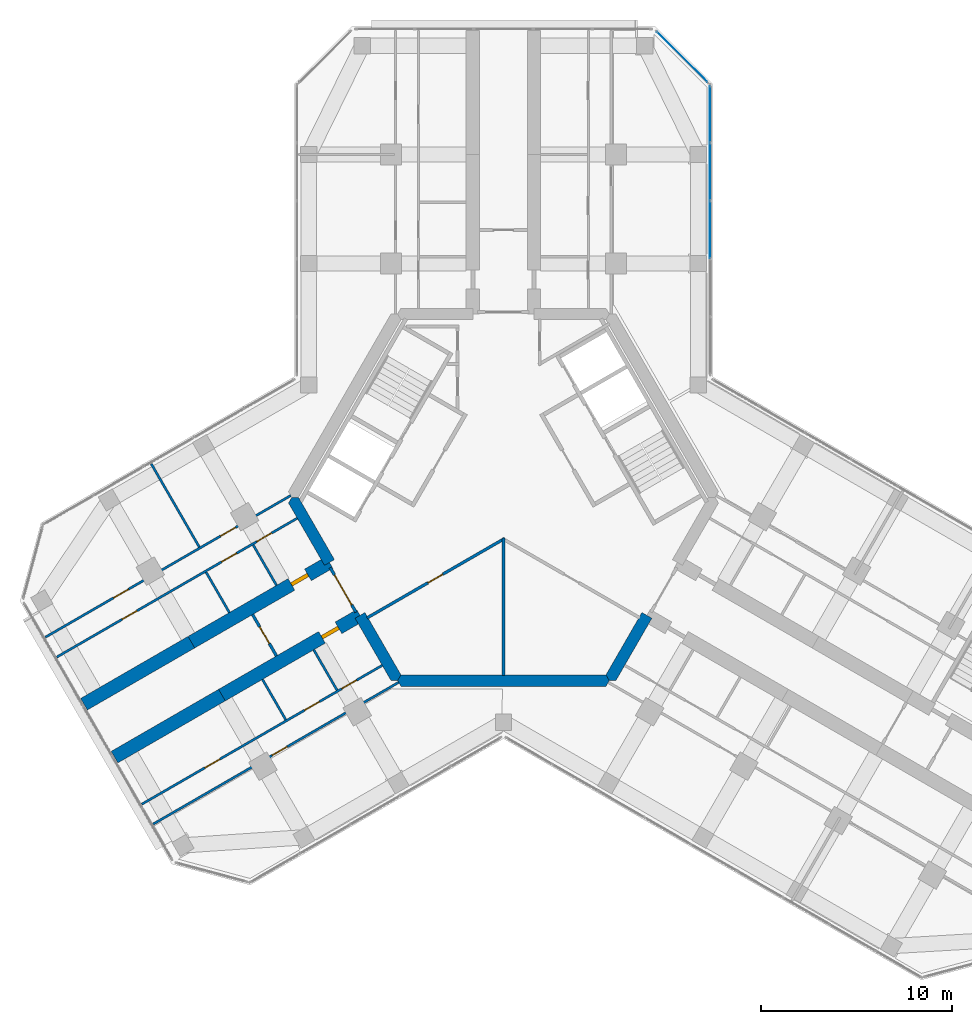
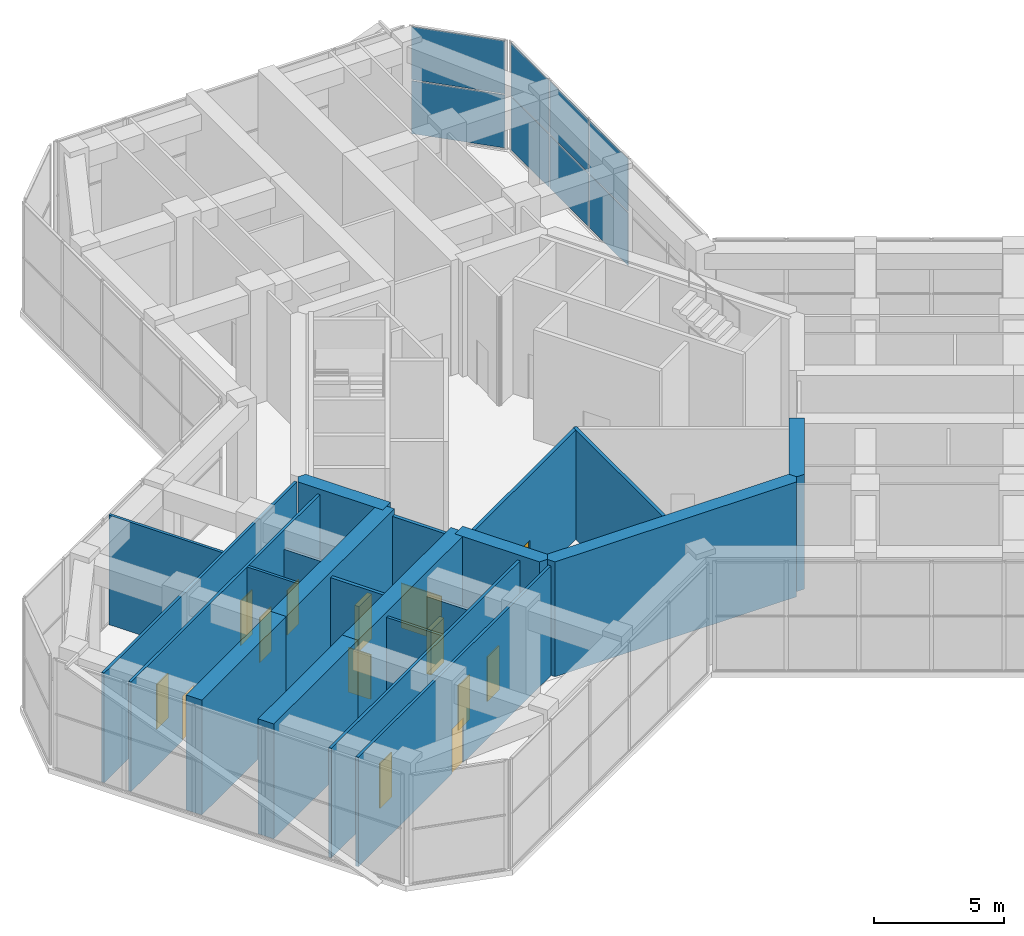
# One storey, part 11 of 16: 21 walls, 14 doors, 8 plates, 14 openings, 2 elements without a shape of their own.
"""IFC4 building model written with IfcOpenShell, lengths in metres."""

from ifc_helpers import new_model, si_unit, direction, frame, frame_2d, origin, origin_2d, place, context, subcontext, project, spatial, polyline, rectangle, outline, extrude, material, layer, layer_set, type_object, element, fill, aggregate, save


model = new_model("IFC4")

# Units and contexts
model_context = context("Model", 3, precision=1e-05, world=origin(), true_north=direction((0.0, 1.0)))
body_context = subcontext(model_context, "Body", "Model", "MODEL_VIEW")
ifc_project = project(units=[si_unit("LENGTHUNIT", "METRE"), si_unit("AREAUNIT", "SQUARE_METRE"), si_unit("VOLUMEUNIT", "CUBIC_METRE"), si_unit("PLANEANGLEUNIT", "RADIAN"), si_unit("MASSUNIT", "GRAM", prefix="KILO")], contexts=[model_context])

# Site, building, storey
site_placement = place(None, origin())
site = spatial("IfcSite", under=ifc_project, at=site_placement, CompositionType="ELEMENT")
building_placement = place(site_placement, origin())
building = spatial("IfcBuilding", under=site, at=building_placement, Name="Kosmar Iwan School Tower", CompositionType="ELEMENT")
storey_placement = place(building_placement, frame((0.0, 0.0, 226.199951171875)))
storey = spatial("IfcBuildingStorey", under=building, at=storey_placement, Name="L57", CompositionType="ELEMENT", Elevation=226.199951171875)

# Curtain wall, plates
ifc_material_1 = material(Name="Dark glass in black aluminium frame", Category="aluminium")
curtain_wall_type_1 = type_object("IfcCurtainWallType", Name="Winter garden curtain wall", PredefinedType="USERDEFINED", material=ifc_material_1)
curtain_wall_1_placement = place(storey_placement, origin())
curtain_wall_1 = element("IfcCurtainWall", 1, at=curtain_wall_1_placement, inside=storey, type_object=curtain_wall_type_1, Name="Curtain wall L57-F04", ObjectType="WINTER GARDEN CURTAIN WALL", PredefinedType="USERDEFINED")
ifc_material_2 = material(Name="Dark glass", Category="glass")
ifc_layer_1 = layer(ifc_material_2, 0.028076171875)
ifc_layer_set_1 = layer_set([ifc_layer_1], Name="Dark glass panel 28")
plate_type = type_object("IfcPlateType", Name="Dark glass panel 28", PredefinedType="CURTAIN_PANEL", material=ifc_layer_set_1)
plate_1_placement = place(storey_placement, frame((10.824951171875, 14.003662109375, 0.06005859375), z_axis=(0.0, 0.0, 1.0), x_axis=(0.0, 1.0, 0.0)))
plate_1 = element("IfcPlate", 2, at=plate_1_placement, type_object=plate_type, Name="CW7 panel 3.1", PredefinedType="CURTAIN_PANEL", context=body_context, shape_type="SweptSolid", body=[
    extrude(rectangle(XDim=2.977783203125, YDim=0.028076171875, at=origin_2d()), origin(), (0.0, 0.0, 1.0), 2.485107421875),
])
plate_2_placement = place(storey_placement, frame((10.824951171875, 14.003662109375, 2.60498046875), z_axis=(0.0, 0.0, 1.0), x_axis=(0.0, 1.0, 0.0)))
plate_2 = element("IfcPlate", 3, at=plate_2_placement, type_object=plate_type, Name="CW7 panel 3.2", PredefinedType="CURTAIN_PANEL", context=body_context, shape_type="SweptSolid", body=[
    extrude(rectangle(XDim=2.977783203125, YDim=0.028076171875, at=origin_2d()), origin(), (0.0, 0.0, 1.0), 2.485107421875),
])
plate_3_placement = place(storey_placement, frame((10.824951171875, 17.04150390625, 0.06005859375), z_axis=(0.0, 0.0, 1.0), x_axis=(0.0, 1.0, 0.0)))
plate_3 = element("IfcPlate", 4, at=plate_3_placement, type_object=plate_type, Name="CW7 panel 4.1", PredefinedType="CURTAIN_PANEL", context=body_context, shape_type="SweptSolid", body=[
    extrude(rectangle(XDim=2.977783203125, YDim=0.028076171875, at=origin_2d()), origin(), (0.0, 0.0, 1.0), 2.485107421875),
])
plate_4_placement = place(storey_placement, frame((10.824951171875, 17.04150390625, 2.60498046875), z_axis=(0.0, 0.0, 1.0), x_axis=(0.0, 1.0, 0.0)))
plate_4 = element("IfcPlate", 5, at=plate_4_placement, type_object=plate_type, Name="CW7 panel 4.2", PredefinedType="CURTAIN_PANEL", context=body_context, shape_type="SweptSolid", body=[
    extrude(rectangle(XDim=2.977783203125, YDim=0.028076171875, at=origin_2d()), origin(), (0.0, 0.0, 1.0), 2.485107421875),
])
plate_5_placement = place(storey_placement, frame((10.824951171875, 20.064208984375, 0.06005859375), z_axis=(0.0, 0.0, 1.0), x_axis=(0.0, 1.0, 0.0)))
plate_5 = element("IfcPlate", 6, at=plate_5_placement, type_object=plate_type, Name="CW7 panel 5.1", PredefinedType="CURTAIN_PANEL", context=body_context, shape_type="SweptSolid", body=[
    extrude(rectangle(XDim=2.94775390625, YDim=0.028076171875, at=origin_2d()), origin(), (0.0, 0.0, 1.0), 2.485107421875),
])
plate_6_placement = place(storey_placement, frame((10.824951171875, 20.064208984375, 2.60498046875), z_axis=(0.0, 0.0, 1.0), x_axis=(0.0, 1.0, 0.0)))
plate_6 = element("IfcPlate", 7, at=plate_6_placement, type_object=plate_type, Name="CW7 panel 5.2", PredefinedType="CURTAIN_PANEL", context=body_context, shape_type="SweptSolid", body=[
    extrude(rectangle(XDim=2.94775390625, YDim=0.028076171875, at=origin_2d()), origin(), (0.0, 0.0, 1.0), 2.485107421875),
])
aggregate(curtain_wall_1, [plate_1, plate_2, plate_3, plate_4, plate_5, plate_6])

ifc_material_3 = material(Name="Dark glass in black aluminium frame", Category="aluminium")
curtain_wall_type_2 = type_object("IfcCurtainWallType", Name="Chamfer curtain wall dark glass", PredefinedType="USERDEFINED", material=ifc_material_3)
curtain_wall_2_placement = place(storey_placement, origin())
curtain_wall_2 = element("IfcCurtainWall", 8, at=curtain_wall_2_placement, inside=storey, type_object=curtain_wall_type_2, Name="Curtain wall L57-F05", ObjectType="FACETED CURTAIN WALL", PredefinedType="USERDEFINED")
plate_7_placement = place(storey_placement, frame((9.361572265625, 23.0615234375, 0.06005859375), z_axis=(0.0, 0.0, 1.0), x_axis=(-0.707106781187, 0.707106781187, 0.0)))
plate_7 = element("IfcPlate", 9, at=plate_7_placement, type_object=plate_type, Name="CW2 panel 1.1", PredefinedType="CURTAIN_PANEL", context=body_context, shape_type="SweptSolid", body=[
    extrude(rectangle(XDim=3.718994140625, YDim=0.028076171875, at=origin_2d()), origin(), (0.0, 0.0, 1.0), 2.485107421875),
])
plate_8_placement = place(storey_placement, frame((9.361572265625, 23.0615234375, 2.60498046875), z_axis=(0.0, 0.0, 1.0), x_axis=(-0.707106781187, 0.707106781187, 0.0)))
plate_8 = element("IfcPlate", 10, at=plate_8_placement, type_object=plate_type, Name="CW2 panel 1.2", PredefinedType="CURTAIN_PANEL", context=body_context, shape_type="SweptSolid", body=[
    extrude(rectangle(XDim=3.718994140625, YDim=0.028076171875, at=origin_2d()), origin(), (0.0, 0.0, 1.0), 2.485107421875),
])
aggregate(curtain_wall_2, [plate_7, plate_8])

# Wall
ifc_material_4 = material(Name="Gypsum board on steel studs, fire-rated", Category="steel")
ifc_layer_2 = layer(ifc_material_4, 0.14990234375)
ifc_layer_set_2 = layer_set([ifc_layer_2], Name="Core room partition 150")
wall_type_1 = type_object("IfcWallType", Name="Core room partition 150", PredefinedType="PARTITIONING", material=ifc_layer_set_2)
wall_1_placement = place(storey_placement, frame((0.0, -9.344970703125, 0.0), z_axis=(0.0, 0.0, 1.0), x_axis=(0.0, 1.0, 0.0)))
element("IfcWall", 11, at=wall_1_placement, inside=storey, type_object=wall_type_1, Name="Core room partition L57-CW5", PredefinedType="PARTITIONING", context=body_context, shape_type="SweptSolid", body=[
    extrude(rectangle(XDim=7.22607421875, YDim=0.14990234375, at=frame_2d((3.613037109375, 0.0))), origin(), (0.0, 0.0, 1.0), 5.150146484375),
])

# Wall, opening, door
wall_2_placement = place(storey_placement, frame((-7.14306640625, -6.31787109375, 0.0), z_axis=(0.0, 0.0, 1.0), x_axis=(0.866034159509, 0.499984834333, 0.0)))
wall_2 = element("IfcWall", 12, at=wall_2_placement, inside=storey, type_object=wall_type_1, Name="Core room partition L57-CW7", PredefinedType="PARTITIONING", context=body_context, shape_type="SweptSolid", body=[
    extrude(rectangle(XDim=8.322998046875, YDim=0.14990234375, at=frame_2d((4.16162109375, 0.0))), origin(), (0.0, 0.0, 1.0), 5.150146484375),
])
opening_1_placement = place(wall_2_placement, frame((3.677001953125, 0.0, 0.0)))
opening_1 = element("IfcOpeningElement", 13, at=opening_1_placement, cuts=wall_2, Name="Opening D14", PredefinedType="OPENING", context=body_context, shape_type="SweptSolid", body=[
    extrude(rectangle(XDim=0.89990234375, YDim=2.10009765625, at=frame_2d((0.449951171875, 1.050048828125))), frame((0.0, 0.0869140625, 0.0), z_axis=(0.0, -1.0, 0.0), x_axis=(1.0, 0.0, 0.0)), (0.0, 0.0, 1.0), 0.173828125),
])
ifc_material_5 = material(Name="Timber fire door in steel frame", Category="steel")
door_type_1 = type_object("IfcDoorType", Name="Core room door 900x2100", OperationType="SINGLE_SWING_LEFT", PredefinedType="DOOR", material=ifc_material_5)
door_1_placement = place(opening_1_placement, origin())
door_1 = element("IfcDoor", 14, at=door_1_placement, inside=storey, type_object=door_type_1, Name="Residents' laundry room door L57 4", OperationType="SINGLE_SWING_LEFT", OverallHeight=2.10009765625, OverallWidth=0.89990234375, PredefinedType="DOOR", context=body_context, shape_type="SweptSolid", body=[
    extrude(rectangle(XDim=0.89990234375, YDim=2.10009765625, at=frame_2d((0.449951171875, 1.050048828125))), frame((0.0, 0.02490234375, 0.0), z_axis=(0.0, -1.0, 0.0), x_axis=(1.0, 0.0, 0.0)), (0.0, 0.0, 1.0), 0.050048828125),
])
fill(opening_1, door_1)

# Walls
ifc_material_6 = material(Name="Concrete C50/60", Category="concrete")
ifc_layer_3 = layer(ifc_material_6, 0.60009765625)
ifc_layer_set_3 = layer_set([ifc_layer_3], Name="Core wall 600")
wall_type_2 = type_object("IfcWallType", Name="Core wall 600", PredefinedType="SHEAR", material=ifc_layer_set_3)
wall_3_placement = place(storey_placement, origin())
element("IfcWall", 15, at=wall_3_placement, inside=storey, type_object=wall_type_2, Name="Core wall F210a", PredefinedType="SHEAR", context=body_context, shape_type="SweptSolid", body=[
    extrude(outline(polyline([(-9.37353515625, -3.564453125), (-8.85400390625, -3.264404296875), (-10.73876953125, 0.0), (-11.085205078125, 0.0), (-11.25830078125, -0.300048828125), (-9.37353515625, -3.564453125)])), origin(), (0.0, 0.0, 1.0), 5.400146484375),
])
wall_4_placement = place(storey_placement, origin())
element("IfcWall", 16, at=wall_4_placement, inside=storey, type_object=wall_type_2, Name="Core wall F210b", PredefinedType="SHEAR", context=body_context, shape_type="SweptSolid", body=[
    extrude(outline(polyline([(-5.888916015625, -9.60009765625), (-5.54248046875, -9.60009765625), (-5.369384765625, -9.300048828125), (-7.254150390625, -6.03564453125), (-7.773681640625, -6.335693359375), (-5.888916015625, -9.60009765625)])), origin(), (0.0, 0.0, 1.0), 5.400146484375),
])
wall_5_placement = place(storey_placement, origin())
element("IfcWall", 17, at=wall_5_placement, inside=storey, type_object=wall_type_2, Name="Core wall F270", PredefinedType="SHEAR", context=body_context, shape_type="SweptSolid", body=[
    extrude(outline(polyline([(-5.369384765625, -9.89990234375), (5.369384765625, -9.89990234375), (5.54248046875, -9.60009765625), (5.369384765625, -9.300048828125), (-5.369384765625, -9.300048828125), (-5.54248046875, -9.60009765625), (-5.369384765625, -9.89990234375)])), origin(), (0.0, 0.0, 1.0), 5.400146484375),
])
wall_6_placement = place(storey_placement, origin())
element("IfcWall", 18, at=wall_6_placement, inside=storey, type_object=wall_type_2, Name="Core wall F330a", PredefinedType="SHEAR", context=body_context, shape_type="SweptSolid", body=[
    extrude(outline(polyline([(5.54248046875, -9.60009765625), (5.888916015625, -9.60009765625), (7.773681640625, -6.335693359375), (7.254150390625, -6.03564453125), (5.369384765625, -9.300048828125), (5.54248046875, -9.60009765625)])), origin(), (0.0, 0.0, 1.0), 5.400146484375),
])

# Wall, opening, door
ifc_material_7 = material(Name="Concrete C50/60", Category="concrete")
ifc_layer_4 = layer(ifc_material_7, 0.699951171875)
ifc_layer_set_4 = layer_set([ifc_layer_4], Name="Corridor buttress wall 700")
wall_type_3 = type_object("IfcWallType", Name="Corridor buttress wall 700", PredefinedType="SHEAR", material=ifc_layer_set_4)
wall_7_placement = place(storey_placement, frame((-7.513916015625, -6.185546875, 0.0), z_axis=(0.0, 0.0, 1.0), x_axis=(-0.866019549707, -0.500010139422, 0.0)))
wall_7 = element("IfcWall", 19, at=wall_7_placement, inside=storey, type_object=wall_type_3, Name="Corridor wall BL", PredefinedType="SHEAR", context=body_context, shape_type="SweptSolid", body=[
    extrude(rectangle(XDim=8.349853515625, YDim=0.699951171875, at=frame_2d((4.1748046875, 0.0))), origin(), (0.0, 0.0, 1.0), 5.400146484375),
])
opening_2_placement = place(wall_7_placement, frame((1.300048828125, 0.0, 0.0)))
opening_2 = element("IfcOpeningElement", 20, at=opening_2_placement, cuts=wall_7, Name="Opening D1", PredefinedType="OPENING", context=body_context, shape_type="SweptSolid", body=[
    extrude(rectangle(XDim=1.0, YDim=2.10009765625, at=frame_2d((0.5, 1.050048828125))), frame((0.0, 0.362060546875, 0.0), z_axis=(0.0, -1.0, 0.0), x_axis=(1.0, 0.0, 0.0)), (0.0, 0.0, 1.0), 0.723876953125),
])
ifc_material_8 = material(Name="Timber fire door in steel frame", Category="steel")
door_type_2 = type_object("IfcDoorType", Name="Flat entrance door 1000x2100", OperationType="SINGLE_SWING_LEFT", PredefinedType="DOOR", material=ifc_material_8)
door_2_placement = place(opening_2_placement, origin())
door_2 = element("IfcDoor", 21, at=door_2_placement, inside=storey, type_object=door_type_2, Name="Flat L57-BL1 entrance door", OperationType="SINGLE_SWING_RIGHT", OverallHeight=2.10009765625, OverallWidth=1.0, PredefinedType="DOOR", context=body_context, shape_type="SweptSolid", body=[
    extrude(rectangle(XDim=1.0, YDim=2.10009765625, at=frame_2d((0.5, 1.050048828125))), frame((0.0, 0.10009765625, 0.0), z_axis=(0.0, -1.0, 0.0), x_axis=(1.0, 0.0, 0.0)), (0.0, 0.0, 1.0), 0.199951171875),
])
fill(opening_2, door_2)

# Wall
wall_8_placement = place(storey_placement, frame((-14.7451171875, -10.360595703125, 0.0), z_axis=(0.0, 0.0, 1.0), x_axis=(-0.866027848477, -0.499995765644, 0.0)))
element("IfcWall", 22, at=wall_8_placement, inside=storey, type_object=wall_type_3, Name="Corridor wall BL bay 2", PredefinedType="SHEAR", context=body_context, shape_type="SweptSolid", body=[
    extrude(rectangle(XDim=6.4951171875, YDim=0.699951171875, at=frame_2d((3.24755859375, 0.0))), origin(), (0.0, 0.0, 1.0), 5.400146484375),
])

# Wall, opening, door
wall_9_placement = place(storey_placement, frame((-9.11376953125, -3.414306640625, 0.0), z_axis=(0.0, 0.0, 1.0), x_axis=(-0.866026859388, -0.499997478812, 0.0)))
wall_9 = element("IfcWall", 23, at=wall_9_placement, inside=storey, type_object=wall_type_3, Name="Corridor wall BR", PredefinedType="SHEAR", context=body_context, shape_type="SweptSolid", body=[
    extrude(rectangle(XDim=8.35009765625, YDim=0.699951171875, at=frame_2d((4.175048828125, 0.0))), origin(), (0.0, 0.0, 1.0), 5.400146484375),
])
opening_3_placement = place(wall_9_placement, frame((1.300048828125, 0.0, 0.0)))
opening_3 = element("IfcOpeningElement", 24, at=opening_3_placement, cuts=wall_9, Name="Opening D1", PredefinedType="OPENING", context=body_context, shape_type="SweptSolid", body=[
    extrude(rectangle(XDim=1.0, YDim=2.10009765625, at=frame_2d((0.5, 1.050048828125))), frame((0.0, 0.362060546875, 0.0), z_axis=(0.0, -1.0, 0.0), x_axis=(1.0, 0.0, 0.0)), (0.0, 0.0, 1.0), 0.723876953125),
])
door_3_placement = place(opening_3_placement, origin())
door_3 = element("IfcDoor", 25, at=door_3_placement, inside=storey, type_object=door_type_2, Name="Flat L57-BR1 entrance door", OperationType="SINGLE_SWING_LEFT", OverallHeight=2.10009765625, OverallWidth=1.0, PredefinedType="DOOR", context=body_context, shape_type="SweptSolid", body=[
    extrude(rectangle(XDim=1.0, YDim=2.10009765625, at=frame_2d((0.5, 1.050048828125))), frame((0.0, 0.10009765625, 0.0), z_axis=(0.0, -1.0, 0.0), x_axis=(1.0, 0.0, 0.0)), (0.0, 0.0, 1.0), 0.199951171875),
])
fill(opening_3, door_3)

# Wall
wall_10_placement = place(storey_placement, frame((-16.34521484375, -7.58935546875, 0.0), z_axis=(0.0, 0.0, 1.0), x_axis=(-0.866018451174, -0.500012042081, 0.0)))
element("IfcWall", 26, at=wall_10_placement, inside=storey, type_object=wall_type_3, Name="Corridor wall BR bay 2", PredefinedType="SHEAR", context=body_context, shape_type="SweptSolid", body=[
    extrude(rectangle(XDim=6.494873046875, YDim=0.699951171875, at=frame_2d((3.24755859375, 0.0))), origin(), (0.0, 0.0, 1.0), 5.400146484375),
])

# Wall, opening, door
ifc_material_9 = material(Name="Gypsum board on steel studs, fire-rated", Category="steel")
ifc_layer_5 = layer(ifc_material_9, 0.14990234375)
ifc_layer_set_5 = layer_set([ifc_layer_5], Name="Corridor end wall 150")
wall_type_4 = type_object("IfcWallType", Name="Corridor end wall 150", PredefinedType="PARTITIONING", material=ifc_layer_set_5)
wall_11_placement = place(storey_placement, frame((-13.13916015625, -6.142578125, 0.0), z_axis=(0.0, 0.0, 1.0), x_axis=(0.500004234368, -0.866022959057, 0.0)))
wall_11 = element("IfcWall", 27, at=wall_11_placement, inside=storey, type_object=wall_type_4, Name="Partition L57-B-CE", PredefinedType="PARTITIONING", context=body_context, shape_type="SweptSolid", body=[
    extrude(rectangle(XDim=2.5, YDim=0.14990234375, at=frame_2d((1.25, 0.0))), origin(), (0.0, 0.0, 1.0), 5.150146484375),
])
opening_4_placement = place(wall_11_placement, frame((0.75, 0.0, 0.0)))
opening_4 = element("IfcOpeningElement", 28, at=opening_4_placement, cuts=wall_11, Name="Opening D13", PredefinedType="OPENING", context=body_context, shape_type="SweptSolid", body=[
    extrude(rectangle(XDim=1.0, YDim=2.10009765625, at=frame_2d((0.5, 1.050048828125))), frame((0.0, 0.0869140625, 0.0), z_axis=(0.0, -1.0, 0.0), x_axis=(1.0, 0.0, 0.0)), (0.0, 0.0, 1.0), 0.173828125),
])
ifc_material_10 = material(Name="Timber fire door with vision panel", Category="wood")
door_type_3 = type_object("IfcDoorType", Name="Corridor end door 1000x2100", OperationType="SINGLE_SWING_LEFT", PredefinedType="DOOR", material=ifc_material_10)
door_4_placement = place(opening_4_placement, origin())
door_4 = element("IfcDoor", 29, at=door_4_placement, inside=storey, type_object=door_type_3, Name="Hobby workshop door L57-B", OperationType="SINGLE_SWING_RIGHT", OverallHeight=2.10009765625, OverallWidth=1.0, PredefinedType="DOOR", context=body_context, shape_type="SweptSolid", body=[
    extrude(rectangle(XDim=1.0, YDim=2.10009765625, at=frame_2d((0.5, 1.050048828125))), frame((0.0, 0.02490234375, 0.0), z_axis=(0.0, -1.0, 0.0), x_axis=(1.0, 0.0, 0.0)), (0.0, 0.0, 1.0), 0.050048828125),
])
fill(opening_4, door_4)

ifc_material_11 = material(Name="Steel framed glazed screen", Category="steel")
ifc_layer_6 = layer(ifc_material_11, 0.14990234375)
ifc_layer_set_6 = layer_set([ifc_layer_6], Name="Corridor screen wall 150")
wall_type_5 = type_object("IfcWallType", Name="Corridor screen wall 150", PredefinedType="PARTITIONING", material=ifc_layer_set_6)
wall_12_placement = place(storey_placement, frame((-9.075439453125, -3.680908203125, 0.0), z_axis=(0.0, 0.0, 1.0), x_axis=(0.500048589285, -0.86599734893, 0.0)))
wall_12 = element("IfcWall", 30, at=wall_12_placement, inside=storey, type_object=wall_type_5, Name="Corridor screen B L57", PredefinedType="PARTITIONING", context=body_context, shape_type="SweptSolid", body=[
    extrude(rectangle(XDim=2.699951171875, YDim=0.14990234375, at=frame_2d((1.35009765625, 0.0))), origin(), (0.0, 0.0, 1.0), 5.150146484375),
])
opening_5_placement = place(wall_12_placement, frame((0.449951171875, 0.0, 0.0)))
opening_5 = element("IfcOpeningElement", 31, at=opening_5_placement, cuts=wall_12, Name="Opening D9", PredefinedType="OPENING", context=body_context, shape_type="SweptSolid", body=[
    extrude(rectangle(XDim=1.800048828125, YDim=2.10009765625, at=frame_2d((0.89990234375, 1.050048828125))), frame((0.0, 0.0869140625, 0.0), z_axis=(0.0, -1.0, 0.0), x_axis=(1.0, 0.0, 0.0)), (0.0, 0.0, 1.0), 0.173828125),
])
ifc_material_12 = material(Name="Steel framed glazed smoke door", Category="steel")
door_type_4 = type_object("IfcDoorType", Name="Corridor smoke door pair 1800x2100", OperationType="DOUBLE_DOOR_DOUBLE_SWING", PredefinedType="DOOR", material=ifc_material_12)
door_5_placement = place(opening_5_placement, origin())
door_5 = element("IfcDoor", 32, at=door_5_placement, inside=storey, type_object=door_type_4, Name="Corridor doors B L57", OperationType="DOUBLE_DOOR_DOUBLE_SWING", OverallHeight=2.10009765625, OverallWidth=1.800048828125, PredefinedType="DOOR", context=body_context, shape_type="SweptSolid", body=[
    extrude(rectangle(XDim=1.800048828125, YDim=2.10009765625, at=frame_2d((0.89990234375, 1.050048828125))), frame((0.0, 0.02490234375, 0.0), z_axis=(0.0, -1.0, 0.0), x_axis=(1.0, 0.0, 0.0)), (0.0, 0.0, 1.0), 0.050048828125),
])
fill(opening_5, door_5)

# Wall, openings, doors
ifc_material_13 = material(Name="Gypsum board on steel studs", Category="steel")
ifc_layer_7 = layer(ifc_material_13, 0.1201171875)
ifc_layer_set_7 = layer_set([ifc_layer_7], Name="Dwelling partition 120")
wall_type_6 = type_object("IfcWallType", Name="Dwelling partition 120", PredefinedType="PARTITIONING", material=ifc_layer_set_7)
wall_13_placement = place(storey_placement, frame((-6.3486328125, -8.8037109375, 0.0), z_axis=(0.0, 0.0, 1.0), x_axis=(-0.866020949409, -0.500007715126, 0.0)))
wall_13 = element("IfcWall", 33, at=wall_13_placement, inside=storey, type_object=wall_type_6, Name="Partition L57-BL1-W1", PredefinedType="PARTITIONING", context=body_context, shape_type="SweptSolid", body=[
    extrude(rectangle(XDim=14.545166015625, YDim=0.1201171875, at=frame_2d((7.2724609375, 0.0))), origin(), (0.0, 0.0, 1.0), 5.150146484375),
])
opening_6_placement = place(wall_13_placement, frame((1.550048828125, 0.0, 0.0)))
opening_6 = element("IfcOpeningElement", 34, at=opening_6_placement, cuts=wall_13, Name="Opening D2", PredefinedType="OPENING", context=body_context, shape_type="SweptSolid", body=[
    extrude(rectangle(XDim=0.89990234375, YDim=2.10009765625, at=frame_2d((0.449951171875, 1.050048828125))), frame((0.0, 0.072021484375, 0.0), z_axis=(0.0, -1.0, 0.0), x_axis=(1.0, 0.0, 0.0)), (0.0, 0.0, 1.0), 0.14404296875),
])
opening_7_placement = place(wall_13_placement, frame((3.800048828125, 0.0, 0.0)))
opening_7 = element("IfcOpeningElement", 35, at=opening_7_placement, cuts=wall_13, Name="Opening D2", PredefinedType="OPENING", context=body_context, shape_type="SweptSolid", body=[
    extrude(rectangle(XDim=0.89990234375, YDim=2.10009765625, at=frame_2d((0.449951171875, 1.050048828125))), frame((0.0, 0.072021484375, 0.0), z_axis=(0.0, -1.0, 0.0), x_axis=(1.0, 0.0, 0.0)), (0.0, 0.0, 1.0), 0.14404296875),
])
opening_8_placement = place(wall_13_placement, frame((9.824951171875, 0.0, 0.0)))
opening_8 = element("IfcOpeningElement", 36, at=opening_8_placement, cuts=wall_13, Name="Opening D2", PredefinedType="OPENING", context=body_context, shape_type="SweptSolid", body=[
    extrude(rectangle(XDim=0.89990234375, YDim=2.10009765625, at=frame_2d((0.449951171875, 1.050048828125))), frame((0.0, 0.072021484375, 0.0), z_axis=(0.0, -1.0, 0.0), x_axis=(1.0, 0.0, 0.0)), (0.0, 0.0, 1.0), 0.14404296875),
])
ifc_material_14 = material(Name="Timber door in timber frame", Category="wood")
door_type_5 = type_object("IfcDoorType", Name="Internal door 900x2100", OperationType="SINGLE_SWING_LEFT", PredefinedType="DOOR", material=ifc_material_14)
door_6_placement = place(opening_6_placement, origin())
door_6 = element("IfcDoor", 37, at=door_6_placement, inside=storey, type_object=door_type_5, Name="Entrance hall door L57-BL1-S1", OperationType="SINGLE_SWING_LEFT", OverallHeight=2.10009765625, OverallWidth=0.89990234375, PredefinedType="DOOR", context=body_context, shape_type="SweptSolid", body=[
    extrude(rectangle(XDim=0.89990234375, YDim=2.10009765625, at=frame_2d((0.449951171875, 1.050048828125))), frame((0.0, 0.02490234375, 0.0), z_axis=(0.0, -1.0, 0.0), x_axis=(1.0, 0.0, 0.0)), (0.0, 0.0, 1.0), 0.050048828125),
])
fill(opening_6, door_6)
door_7_placement = place(opening_7_placement, origin())
door_7 = element("IfcDoor", 38, at=door_7_placement, inside=storey, type_object=door_type_5, Name="Garden store door L57-BL1-S2", OperationType="SINGLE_SWING_LEFT", OverallHeight=2.10009765625, OverallWidth=0.89990234375, PredefinedType="DOOR", context=body_context, shape_type="SweptSolid", body=[
    extrude(rectangle(XDim=0.89990234375, YDim=2.10009765625, at=frame_2d((0.449951171875, 1.050048828125))), frame((0.0, 0.02490234375, 0.0), z_axis=(0.0, -1.0, 0.0), x_axis=(1.0, 0.0, 0.0)), (0.0, 0.0, 1.0), 0.050048828125),
])
fill(opening_7, door_7)
door_8_placement = place(opening_8_placement, origin())
door_8 = element("IfcDoor", 39, at=door_8_placement, inside=storey, type_object=door_type_5, Name="Accessible toilet door L57-BL1-S3", OperationType="SINGLE_SWING_RIGHT", OverallHeight=2.10009765625, OverallWidth=0.89990234375, PredefinedType="DOOR", context=body_context, shape_type="SweptSolid", body=[
    extrude(rectangle(XDim=0.89990234375, YDim=2.10009765625, at=frame_2d((0.449951171875, 1.050048828125))), frame((0.0, 0.02490234375, 0.0), z_axis=(0.0, -1.0, 0.0), x_axis=(1.0, 0.0, 0.0)), (0.0, 0.0, 1.0), 0.050048828125),
])
fill(opening_8, door_8)

# Wall, opening, door
wall_14_placement = place(storey_placement, frame((-5.48876953125, -9.693115234375, 0.0), z_axis=(0.0, 0.0, 1.0), x_axis=(-0.866030301974, -0.499991515992, 0.0)))
wall_14 = element("IfcWall", 40, at=wall_14_placement, inside=storey, type_object=wall_type_6, Name="Partition L57-BL1-W2", PredefinedType="PARTITIONING", context=body_context, shape_type="SweptSolid", body=[
    extrude(rectangle(XDim=14.844970703125, YDim=0.1201171875, at=frame_2d((7.42236328125, 0.0))), origin(), (0.0, 0.0, 1.0), 5.150146484375),
])
opening_9_placement = place(wall_14_placement, frame((6.75, 0.0, 0.0)))
opening_9 = element("IfcOpeningElement", 41, at=opening_9_placement, cuts=wall_14, Name="Opening D2", PredefinedType="OPENING", context=body_context, shape_type="SweptSolid", body=[
    extrude(rectangle(XDim=0.89990234375, YDim=2.10009765625, at=frame_2d((0.449951171875, 1.050048828125))), frame((0.0, 0.072021484375, 0.0), z_axis=(0.0, -1.0, 0.0), x_axis=(1.0, 0.0, 0.0)), (0.0, 0.0, 1.0), 0.14404296875),
])
door_9_placement = place(opening_9_placement, origin())
door_9 = element("IfcDoor", 42, at=door_9_placement, inside=storey, type_object=door_type_5, Name="Winter garden door L57-BL1-F1", OperationType="SINGLE_SWING_LEFT", OverallHeight=2.10009765625, OverallWidth=0.89990234375, PredefinedType="DOOR", context=body_context, shape_type="SweptSolid", body=[
    extrude(rectangle(XDim=0.89990234375, YDim=2.10009765625, at=frame_2d((0.449951171875, 1.050048828125))), frame((0.0, 0.02490234375, 0.0), z_axis=(0.0, -1.0, 0.0), x_axis=(1.0, 0.0, 0.0)), (0.0, 0.0, 1.0), 0.050048828125),
])
fill(opening_9, door_9)

# Walls
wall_15_placement = place(storey_placement, frame((-9.93701171875, -7.98876953125, 0.0), z_axis=(0.0, 0.0, 1.0), x_axis=(0.500077547548, -0.865980627057, 0.0)))
element("IfcWall", 43, at=wall_15_placement, inside=storey, type_object=wall_type_6, Name="Partition L57-BL1-Y1", PredefinedType="PARTITIONING", context=body_context, shape_type="SweptSolid", body=[
    extrude(rectangle(XDim=2.43994140625, YDim=0.1201171875, at=frame_2d((1.219970703125, 0.0))), origin(), (0.0, 0.0, 1.0), 4.25),
])
wall_16_placement = place(storey_placement, frame((-12.62158203125, -9.538818359375, 0.0), z_axis=(0.0, 0.0, 1.0), x_axis=(0.500002508028, -0.866023955769, 0.0)))
element("IfcWall", 44, at=wall_16_placement, inside=storey, type_object=wall_type_6, Name="Partition L57-BL1-Y2", PredefinedType="PARTITIONING", context=body_context, shape_type="SweptSolid", body=[
    extrude(rectangle(XDim=2.43994140625, YDim=0.1201171875, at=frame_2d((1.219970703125, 0.0))), origin(), (0.0, 0.0, 1.0), 5.150146484375),
])

# Wall, openings, doors
wall_17_placement = place(storey_placement, frame((-10.798583984375, -1.09619140625, 0.0), z_axis=(0.0, 0.0, 1.0), x_axis=(-0.866028217562, -0.499995126363, 0.0)))
wall_17 = element("IfcWall", 45, at=wall_17_placement, inside=storey, type_object=wall_type_6, Name="Partition L57-BR1-W1", PredefinedType="PARTITIONING", context=body_context, shape_type="SweptSolid", body=[
    extrude(rectangle(XDim=14.545166015625, YDim=0.1201171875, at=frame_2d((7.2724609375, 0.0))), origin(), (0.0, 0.0, 1.0), 5.150146484375),
])
opening_10_placement = place(wall_17_placement, frame((1.550048828125, 0.0, 0.0)))
opening_10 = element("IfcOpeningElement", 46, at=opening_10_placement, cuts=wall_17, Name="Opening D2", PredefinedType="OPENING", context=body_context, shape_type="SweptSolid", body=[
    extrude(rectangle(XDim=0.89990234375, YDim=2.10009765625, at=frame_2d((0.449951171875, 1.050048828125))), frame((0.0, 0.072021484375, 0.0), z_axis=(0.0, -1.0, 0.0), x_axis=(1.0, 0.0, 0.0)), (0.0, 0.0, 1.0), 0.14404296875),
])
opening_11_placement = place(wall_17_placement, frame((3.675048828125, 0.0, 0.0)))
opening_11 = element("IfcOpeningElement", 47, at=opening_11_placement, cuts=wall_17, Name="Opening D2", PredefinedType="OPENING", context=body_context, shape_type="SweptSolid", body=[
    extrude(rectangle(XDim=0.89990234375, YDim=2.10009765625, at=frame_2d((0.449951171875, 1.050048828125))), frame((0.0, 0.072021484375, 0.0), z_axis=(0.0, -1.0, 0.0), x_axis=(1.0, 0.0, 0.0)), (0.0, 0.0, 1.0), 0.14404296875),
])
opening_12_placement = place(wall_17_placement, frame((9.699951171875, 0.0, 0.0)))
opening_12 = element("IfcOpeningElement", 48, at=opening_12_placement, cuts=wall_17, Name="Opening D2", PredefinedType="OPENING", context=body_context, shape_type="SweptSolid", body=[
    extrude(rectangle(XDim=0.89990234375, YDim=2.10009765625, at=frame_2d((0.449951171875, 1.050048828125))), frame((0.0, 0.072021484375, 0.0), z_axis=(0.0, -1.0, 0.0), x_axis=(1.0, 0.0, 0.0)), (0.0, 0.0, 1.0), 0.14404296875),
])
door_10_placement = place(opening_10_placement, origin())
door_10 = element("IfcDoor", 49, at=door_10_placement, inside=storey, type_object=door_type_5, Name="Entrance hall door L57-BR1-S1", OperationType="SINGLE_SWING_RIGHT", OverallHeight=2.10009765625, OverallWidth=0.89990234375, PredefinedType="DOOR", context=body_context, shape_type="SweptSolid", body=[
    extrude(rectangle(XDim=0.89990234375, YDim=2.10009765625, at=frame_2d((0.449951171875, 1.050048828125))), frame((0.0, 0.02490234375, 0.0), z_axis=(0.0, -1.0, 0.0), x_axis=(1.0, 0.0, 0.0)), (0.0, 0.0, 1.0), 0.050048828125),
])
fill(opening_10, door_10)
door_11_placement = place(opening_11_placement, origin())
door_11 = element("IfcDoor", 50, at=door_11_placement, inside=storey, type_object=door_type_5, Name="Tea kitchen door L57-BR1-S2", OperationType="SINGLE_SWING_RIGHT", OverallHeight=2.10009765625, OverallWidth=0.89990234375, PredefinedType="DOOR", context=body_context, shape_type="SweptSolid", body=[
    extrude(rectangle(XDim=0.89990234375, YDim=2.10009765625, at=frame_2d((0.449951171875, 1.050048828125))), frame((0.0, 0.02490234375, 0.0), z_axis=(0.0, -1.0, 0.0), x_axis=(1.0, 0.0, 0.0)), (0.0, 0.0, 1.0), 0.050048828125),
])
fill(opening_11, door_11)
door_12_placement = place(opening_12_placement, origin())
door_12 = element("IfcDoor", 51, at=door_12_placement, inside=storey, type_object=door_type_5, Name="Toilets door L57-BR1-S3", OperationType="SINGLE_SWING_RIGHT", OverallHeight=2.10009765625, OverallWidth=0.89990234375, PredefinedType="DOOR", context=body_context, shape_type="SweptSolid", body=[
    extrude(rectangle(XDim=0.89990234375, YDim=2.10009765625, at=frame_2d((0.449951171875, 1.050048828125))), frame((0.0, 0.02490234375, 0.0), z_axis=(0.0, -1.0, 0.0), x_axis=(1.0, 0.0, 0.0)), (0.0, 0.0, 1.0), 0.050048828125),
])
fill(opening_12, door_12)

wall_18_placement = place(storey_placement, frame((-11.138916015625, 0.093017578125, 0.0), z_axis=(0.0, 0.0, 1.0), x_axis=(-0.866030301974, -0.499991515992, 0.0)))
wall_18 = element("IfcWall", 52, at=wall_18_placement, inside=storey, type_object=wall_type_6, Name="Partition L57-BR1-W2", PredefinedType="PARTITIONING", context=body_context, shape_type="SweptSolid", body=[
    extrude(rectangle(XDim=14.844970703125, YDim=0.1201171875, at=frame_2d((7.42236328125, 0.0))), origin(), (0.0, 0.0, 1.0), 5.150146484375),
])
opening_13_placement = place(wall_18_placement, frame((3.35009765625, 0.0, 0.0)))
opening_13 = element("IfcOpeningElement", 53, at=opening_13_placement, cuts=wall_18, Name="Opening D2", PredefinedType="OPENING", context=body_context, shape_type="SweptSolid", body=[
    extrude(rectangle(XDim=0.89990234375, YDim=2.10009765625, at=frame_2d((0.449951171875, 1.050048828125))), frame((0.0, 0.072021484375, 0.0), z_axis=(0.0, -1.0, 0.0), x_axis=(1.0, 0.0, 0.0)), (0.0, 0.0, 1.0), 0.14404296875),
])
opening_14_placement = place(wall_18_placement, frame((9.824951171875, 0.0, 0.0)))
opening_14 = element("IfcOpeningElement", 54, at=opening_14_placement, cuts=wall_18, Name="Opening D2", PredefinedType="OPENING", context=body_context, shape_type="SweptSolid", body=[
    extrude(rectangle(XDim=0.89990234375, YDim=2.10009765625, at=frame_2d((0.449951171875, 1.050048828125))), frame((0.0, 0.072021484375, 0.0), z_axis=(0.0, -1.0, 0.0), x_axis=(1.0, 0.0, 0.0)), (0.0, 0.0, 1.0), 0.14404296875),
])
door_13_placement = place(opening_13_placement, origin())
door_13 = element("IfcDoor", 55, at=door_13_placement, inside=storey, type_object=door_type_5, Name="Co-working room door L57-BR1-F1", OperationType="SINGLE_SWING_LEFT", OverallHeight=2.10009765625, OverallWidth=0.89990234375, PredefinedType="DOOR", context=body_context, shape_type="SweptSolid", body=[
    extrude(rectangle(XDim=0.89990234375, YDim=2.10009765625, at=frame_2d((0.449951171875, 1.050048828125))), frame((0.0, 0.02490234375, 0.0), z_axis=(0.0, -1.0, 0.0), x_axis=(1.0, 0.0, 0.0)), (0.0, 0.0, 1.0), 0.050048828125),
])
fill(opening_13, door_13)
door_14_placement = place(opening_14_placement, origin())
door_14 = element("IfcDoor", 56, at=door_14_placement, inside=storey, type_object=door_type_5, Name="Meeting room door L57-BR1-F2", OperationType="SINGLE_SWING_RIGHT", OverallHeight=2.10009765625, OverallWidth=0.89990234375, PredefinedType="DOOR", context=body_context, shape_type="SweptSolid", body=[
    extrude(rectangle(XDim=0.89990234375, YDim=2.10009765625, at=frame_2d((0.449951171875, 1.050048828125))), frame((0.0, 0.02490234375, 0.0), z_axis=(0.0, -1.0, 0.0), x_axis=(1.0, 0.0, 0.0)), (0.0, 0.0, 1.0), 0.050048828125),
])
fill(opening_14, door_14)

# Walls
wall_19_placement = place(storey_placement, frame((-15.931884765625, -2.60498046875, 0.0), z_axis=(0.0, 0.0, 1.0), x_axis=(-0.500019063067, 0.866014397438, 0.0)))
element("IfcWall", 57, at=wall_19_placement, inside=storey, type_object=wall_type_6, Name="Partition L57-BR1-X1", PredefinedType="PARTITIONING", context=body_context, shape_type="SweptSolid", body=[
    extrude(rectangle(XDim=5.034912109375, YDim=0.1201171875, at=frame_2d((2.517578125, 0.0))), origin(), (0.0, 0.0, 1.0), 5.150146484375),
])
wall_20_placement = place(storey_placement, frame((-11.886962890625, -4.611328125, 0.0), z_axis=(0.0, 0.0, 1.0), x_axis=(-0.499959183527, 0.866048967903, 0.0)))
element("IfcWall", 58, at=wall_20_placement, inside=storey, type_object=wall_type_6, Name="Partition L57-BR1-Y1", PredefinedType="PARTITIONING", context=body_context, shape_type="SweptSolid", body=[
    extrude(rectangle(XDim=2.440185546875, YDim=0.1201171875, at=frame_2d((1.22021484375, 0.0))), origin(), (0.0, 0.0, 1.0), 4.25),
])
wall_21_placement = place(storey_placement, frame((-14.35498046875, -6.036376953125, 0.0), z_axis=(0.0, 0.0, 1.0), x_axis=(-0.500034220881, 0.866005645448, 0.0)))
element("IfcWall", 59, at=wall_21_placement, inside=storey, type_object=wall_type_6, Name="Partition L57-BR1-Y2", PredefinedType="PARTITIONING", context=body_context, shape_type="SweptSolid", body=[
    extrude(rectangle(XDim=2.440185546875, YDim=0.1201171875, at=frame_2d((1.22021484375, 0.0))), origin(), (0.0, 0.0, 1.0), 5.150146484375),
])

save(model, "model.ifc")
